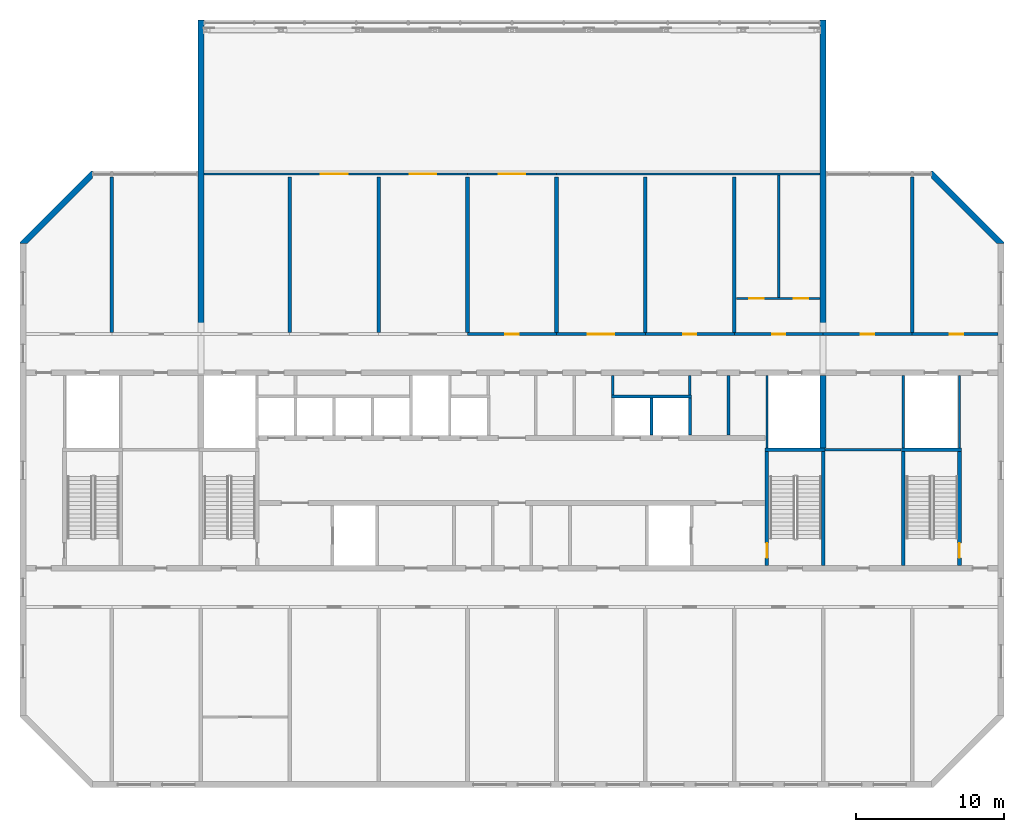
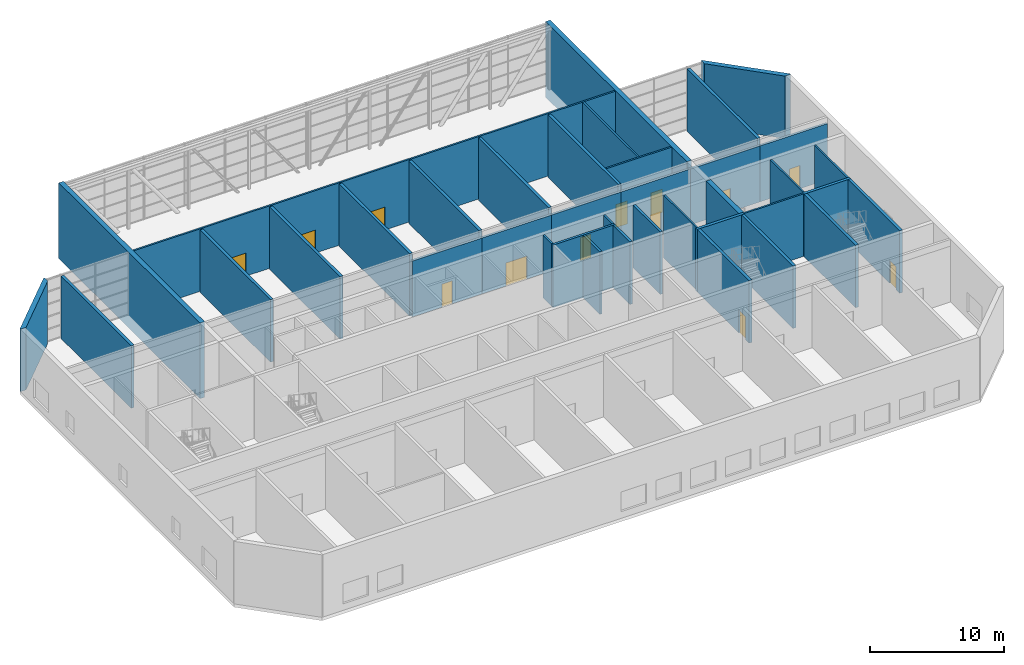
# One storey, part 14 of 17: 40 walls, 13 doors, 13 openings.
"""IFC4 building model written with IfcOpenShell, lengths in metres."""

from ifc_helpers import new_model, si_unit, direction, frame, frame_2d, origin, place, context, subcontext, project, spatial, polyline, rectangle, outline, extrude, material, layer, layer_set, type_object, element, fill, save


model = new_model("IFC4")

# Units and contexts
model_context = context("Model", 3, precision=1e-05, world=origin(), true_north=direction((0.0, 1.0)))
body_context = subcontext(model_context, "Body", "Model", "MODEL_VIEW")
ifc_project = project(units=[si_unit("LENGTHUNIT", "METRE"), si_unit("AREAUNIT", "SQUARE_METRE"), si_unit("VOLUMEUNIT", "CUBIC_METRE"), si_unit("PLANEANGLEUNIT", "RADIAN"), si_unit("MASSUNIT", "GRAM", prefix="KILO")], contexts=[model_context])

# Site, building, storey
site_placement = place(None, origin())
site = spatial("IfcSite", under=ifc_project, at=site_placement, CompositionType="ELEMENT")
building_placement = place(site_placement, origin())
building = spatial("IfcBuilding", under=site, at=building_placement, Name="Poui Terraces", CompositionType="ELEMENT")
storey_placement = place(building_placement, frame((0.0, 0.0, 261.0)))
storey = spatial("IfcBuildingStorey", under=building, at=storey_placement, Name="L73", CompositionType="ELEMENT", Elevation=261.0)

# Wall
ifc_material_1 = material(Name="Concrete 50 MPa", Category="concrete")
ifc_layer_1 = layer(ifc_material_1, 0.39990234375)
ifc_layer_set_1 = layer_set([ifc_layer_1], Name="Concrete 50 MPa")
wall_type_1 = type_object("IfcWallType", Name="CORE WALL 400 50 MPA", PredefinedType="SOLIDWALL", material=ifc_layer_set_1)
wall_1_placement = place(storey_placement, frame((72.0, 22.72509765625, 0.0), z_axis=(0.0, 0.0, 1.0), x_axis=(0.0, 1.0, 0.0)))
element("IfcWall", 1, at=wall_1_placement, inside=storey, type_object=wall_type_1, Name="CORE WALL", PredefinedType="SOLIDWALL", context=body_context, shape_type="SweptSolid", body=[
    extrude(rectangle(XDim=4.89990234375, YDim=0.39990234375, at=frame_2d((2.449951171875, 0.0))), origin(), (0.0, 0.0, 1.0), 5.699951171875),
])

# Wall, openings, doors
ifc_material_2 = material(Name="Fire-rated plasterboard wall")
ifc_layer_2 = layer(ifc_material_2, 0.14990234375)
ifc_layer_set_2 = layer_set([ifc_layer_2], Name="Fire-rated plasterboard wall")
wall_type_2 = type_object("IfcWallType", Name="CORRIDOR WALL 150", PredefinedType="PARTITIONING", material=ifc_layer_set_2)
wall_2_placement = place(storey_placement, frame((66.135009765625, 32.800048828125, 0.0), z_axis=(0.0, 0.0, 1.0), x_axis=(1.0, 0.0, 0.0)))
wall_2 = element("IfcWall", 2, at=wall_2_placement, inside=storey, type_object=wall_type_2, Name="CORRIDOR WALL 150", PredefinedType="PARTITIONING", context=body_context, shape_type="SweptSolid", body=[
    extrude(rectangle(XDim=5.655029296875, YDim=0.14990234375, at=frame_2d((2.82763671875, 0.0))), origin(), (0.0, 0.0, 1.0), 5.699951171875),
])
opening_1_placement = place(wall_2_placement, frame((0.864990234375, 0.0, 0.0)))
opening_1 = element("IfcOpeningElement", 3, at=opening_1_placement, cuts=wall_2, Name="Opening D100", PredefinedType="OPENING", context=body_context, shape_type="SweptSolid", body=[
    extrude(rectangle(XDim=1.0, YDim=2.10009765625, at=frame_2d((0.5, 1.050048828125))), frame((0.0, 0.0849609375, 0.0), z_axis=(0.0, -1.0, 0.0), x_axis=(1.0, 0.0, 0.0)), (0.0, 0.0, 1.0), 0.169921875),
])
opening_2_placement = place(wall_2_placement, frame((3.864990234375, 0.0, 0.0)))
opening_2 = element("IfcOpeningElement", 4, at=opening_2_placement, cuts=wall_2, Name="Opening D100", PredefinedType="OPENING", context=body_context, shape_type="SweptSolid", body=[
    extrude(rectangle(XDim=1.0, YDim=2.10009765625, at=frame_2d((0.5, 1.050048828125))), frame((0.0, 0.0849609375, 0.0), z_axis=(0.0, -1.0, 0.0), x_axis=(1.0, 0.0, 0.0)), (0.0, 0.0, 1.0), 0.169921875),
])
ifc_material_3 = material(Name="Solid core timber door", Category="wood")
door_type_1 = type_object("IfcDoorType", Name="ACCESSIBLE INTERNAL DOOR 1000 X 2100", OperationType="NOTDEFINED", PredefinedType="DOOR", material=ifc_material_3)
door_1_placement = place(opening_1_placement, frame((1.0, 0.0, 0.0), z_axis=(0.0, 0.0, 1.0), x_axis=(-1.0, 0.0, 0.0)))
door_1 = element("IfcDoor", 5, at=door_1_placement, inside=storey, type_object=door_type_1, Name="ACCESSIBLE INTERNAL DOOR 054", OperationType="SINGLE_SWING_LEFT", OverallHeight=2.10009765625, OverallWidth=1.0, PredefinedType="DOOR", context=body_context, shape_type="SweptSolid", body=[
    extrude(rectangle(XDim=1.0, YDim=2.10009765625, at=frame_2d((0.5, 1.050048828125))), frame((0.0, 0.02490234375, 0.0), z_axis=(0.0, -1.0, 0.0), x_axis=(1.0, 0.0, 0.0)), (0.0, 0.0, 1.0), 0.050048828125),
])
fill(opening_1, door_1)
door_2_placement = place(opening_2_placement, frame((1.0, 0.0, 0.0), z_axis=(0.0, 0.0, 1.0), x_axis=(-1.0, 0.0, 0.0)))
door_2 = element("IfcDoor", 6, at=door_2_placement, inside=storey, type_object=door_type_1, Name="ACCESSIBLE INTERNAL DOOR 055", OperationType="SINGLE_SWING_RIGHT", OverallHeight=2.10009765625, OverallWidth=1.0, PredefinedType="DOOR", context=body_context, shape_type="SweptSolid", body=[
    extrude(rectangle(XDim=1.0, YDim=2.10009765625, at=frame_2d((0.5, 1.050048828125))), frame((0.0, 0.02490234375, 0.0), z_axis=(0.0, -1.0, 0.0), x_axis=(1.0, 0.0, 0.0)), (0.0, 0.0, 1.0), 0.050048828125),
])
fill(opening_2, door_2)

# Wall, opening, door
wall_3_placement = place(storey_placement, frame((48.0, 41.199951171875, 0.0), z_axis=(0.0, 0.0, 1.0), x_axis=(1.0, 0.0, 0.0)))
wall_3 = element("IfcWall", 7, at=wall_3_placement, inside=storey, type_object=wall_type_2, Name="CORRIDOR WALL 150", PredefinedType="PARTITIONING", context=body_context, shape_type="SweptSolid", body=[
    extrude(rectangle(XDim=6.0, YDim=0.14990234375, at=frame_2d((3.0, 0.0))), origin(), (0.0, 0.0, 1.0), 5.699951171875),
])
opening_3_placement = place(wall_3_placement, frame((2.10009765625, 0.0, 0.0)))
opening_3 = element("IfcOpeningElement", 8, at=opening_3_placement, cuts=wall_3, Name="Opening DD180", PredefinedType="OPENING", context=body_context, shape_type="SweptSolid", body=[
    extrude(rectangle(XDim=1.800048828125, YDim=2.10009765625, at=frame_2d((0.89990234375, 1.050048828125))), frame((0.0, 0.0849609375, 0.0), z_axis=(0.0, -1.0, 0.0), x_axis=(1.0, 0.0, 0.0)), (0.0, 0.0, 1.0), 0.169921875),
])
ifc_material_4 = material(Name="Steel fire door", Category="steel")
door_type_2 = type_object("IfcDoorType", Name="DOUBLE INTERNAL DOOR 1800 X 2100", OperationType="DOUBLE_DOOR_SINGLE_SWING", PredefinedType="DOOR", material=ifc_material_4)
door_3_placement = place(opening_3_placement, frame((1.800048828125, 0.0, 0.0), z_axis=(0.0, 0.0, 1.0), x_axis=(-1.0, 0.0, 0.0)))
door_3 = element("IfcDoor", 9, at=door_3_placement, inside=storey, type_object=door_type_2, Name="DOUBLE INTERNAL DOOR 053", OperationType="DOUBLE_DOOR_SINGLE_SWING", OverallHeight=2.10009765625, OverallWidth=1.800048828125, PredefinedType="DOOR", context=body_context, shape_type="SweptSolid", body=[
    extrude(rectangle(XDim=1.800048828125, YDim=2.10009765625, at=frame_2d((0.89990234375, 1.050048828125))), frame((0.0, 0.02490234375, 0.0), z_axis=(0.0, -1.0, 0.0), x_axis=(1.0, 0.0, 0.0)), (0.0, 0.0, 1.0), 0.050048828125),
])
fill(opening_3, door_3)

ifc_layer_3 = layer(ifc_material_1, 0.199951171875)
ifc_layer_set_3 = layer_set([ifc_layer_3], Name="Concrete 50 MPa")
wall_type_3 = type_object("IfcWallType", Name="CORRIDOR WALL 200 50MPa", PredefinedType="SHEAR", material=ifc_layer_set_3)
wall_4_placement = place(storey_placement, frame((48.0, 30.39990234375, 0.0), z_axis=(0.0, 0.0, 1.0), x_axis=(1.0, 0.0, 0.0)))
wall_4 = element("IfcWall", 10, at=wall_4_placement, inside=storey, type_object=wall_type_3, Name="CORRIDOR WALL LINE E BAY 6", PredefinedType="SHEAR", context=body_context, shape_type="SweptSolid", body=[
    extrude(rectangle(XDim=6.0, YDim=0.199951171875, at=frame_2d((3.0, 0.0))), origin(), (0.0, 0.0, 1.0), 5.10009765625),
])
opening_4_placement = place(wall_4_placement, frame((2.550048828125, 0.0, 0.0)))
opening_4 = element("IfcOpeningElement", 11, at=opening_4_placement, cuts=wall_4, Name="Opening D90", PredefinedType="OPENING", context=body_context, shape_type="SweptSolid", body=[
    extrude(rectangle(XDim=0.89990234375, YDim=2.10009765625, at=frame_2d((0.449951171875, 1.050048828125))), frame((0.0, 0.10986328125, 0.0), z_axis=(0.0, -1.0, 0.0), x_axis=(1.0, 0.0, 0.0)), (0.0, 0.0, 1.0), 0.219970703125),
])
door_type_3 = type_object("IfcDoorType", Name="INTERNAL DOOR 900 X 2100", OperationType="NOTDEFINED", PredefinedType="DOOR", material=ifc_material_3)
door_4_placement = place(opening_4_placement, frame((0.89990234375, 0.0, 0.0), z_axis=(0.0, 0.0, 1.0), x_axis=(-1.0, 0.0, 0.0)))
door_4 = element("IfcDoor", 12, at=door_4_placement, inside=storey, type_object=door_type_3, Name="INTERNAL DOOR 014", OperationType="SINGLE_SWING_RIGHT", OverallHeight=2.10009765625, OverallWidth=0.89990234375, PredefinedType="DOOR", context=body_context, shape_type="SweptSolid", body=[
    extrude(rectangle(XDim=0.89990234375, YDim=2.10009765625, at=frame_2d((0.449951171875, 1.050048828125))), frame((0.0, 0.02490234375, 0.0), z_axis=(0.0, -1.0, 0.0), x_axis=(1.0, 0.0, 0.0)), (0.0, 0.0, 1.0), 0.050048828125),
])
fill(opening_4, door_4)

wall_5_placement = place(storey_placement, frame((54.0, 30.39990234375, 0.0), z_axis=(0.0, 0.0, 1.0), x_axis=(1.0, 0.0, 0.0)))
wall_5 = element("IfcWall", 13, at=wall_5_placement, inside=storey, type_object=wall_type_3, Name="CORRIDOR WALL LINE E BAY 7", PredefinedType="SHEAR", context=body_context, shape_type="SweptSolid", body=[
    extrude(rectangle(XDim=6.0, YDim=0.199951171875, at=frame_2d((3.0, 0.0))), origin(), (0.0, 0.0, 1.0), 5.10009765625),
])
opening_5_placement = place(wall_5_placement, frame((2.10009765625, 0.0, 0.0)))
opening_5 = element("IfcOpeningElement", 14, at=opening_5_placement, cuts=wall_5, Name="Opening DD180", PredefinedType="OPENING", context=body_context, shape_type="SweptSolid", body=[
    extrude(rectangle(XDim=1.800048828125, YDim=2.10009765625, at=frame_2d((0.89990234375, 1.050048828125))), frame((0.0, 0.10986328125, 0.0), z_axis=(0.0, -1.0, 0.0), x_axis=(1.0, 0.0, 0.0)), (0.0, 0.0, 1.0), 0.219970703125),
])
door_5_placement = place(opening_5_placement, frame((1.800048828125, 0.0, 0.0), z_axis=(0.0, 0.0, 1.0), x_axis=(-1.0, 0.0, 0.0)))
door_5 = element("IfcDoor", 15, at=door_5_placement, inside=storey, type_object=door_type_2, Name="DOUBLE INTERNAL DOOR 017", OperationType="DOUBLE_DOOR_SINGLE_SWING", OverallHeight=2.10009765625, OverallWidth=1.800048828125, PredefinedType="DOOR", context=body_context, shape_type="SweptSolid", body=[
    extrude(rectangle(XDim=1.800048828125, YDim=2.10009765625, at=frame_2d((0.89990234375, 1.050048828125))), frame((0.0, 0.02490234375, 0.0), z_axis=(0.0, -1.0, 0.0), x_axis=(1.0, 0.0, 0.0)), (0.0, 0.0, 1.0), 0.050048828125),
])
fill(opening_5, door_5)

wall_6_placement = place(storey_placement, frame((60.0, 30.39990234375, 0.0), z_axis=(0.0, 0.0, 1.0), x_axis=(1.0, 0.0, 0.0)))
wall_6 = element("IfcWall", 16, at=wall_6_placement, inside=storey, type_object=wall_type_3, Name="CORRIDOR WALL LINE E BAY 8", PredefinedType="SHEAR", context=body_context, shape_type="SweptSolid", body=[
    extrude(rectangle(XDim=6.0, YDim=0.199951171875, at=frame_2d((3.0, 0.0))), origin(), (0.0, 0.0, 1.0), 5.10009765625),
])
opening_6_placement = place(wall_6_placement, frame((2.550048828125, 0.0, 0.0)))
opening_6 = element("IfcOpeningElement", 17, at=opening_6_placement, cuts=wall_6, Name="Opening D90", PredefinedType="OPENING", context=body_context, shape_type="SweptSolid", body=[
    extrude(rectangle(XDim=0.89990234375, YDim=2.10009765625, at=frame_2d((0.449951171875, 1.050048828125))), frame((0.0, 0.10986328125, 0.0), z_axis=(0.0, -1.0, 0.0), x_axis=(1.0, 0.0, 0.0)), (0.0, 0.0, 1.0), 0.219970703125),
])
door_6_placement = place(opening_6_placement, frame((0.89990234375, 0.0, 0.0), z_axis=(0.0, 0.0, 1.0), x_axis=(-1.0, 0.0, 0.0)))
door_6 = element("IfcDoor", 18, at=door_6_placement, inside=storey, type_object=door_type_3, Name="INTERNAL DOOR 019", OperationType="SINGLE_SWING_RIGHT", OverallHeight=2.10009765625, OverallWidth=0.89990234375, PredefinedType="DOOR", context=body_context, shape_type="SweptSolid", body=[
    extrude(rectangle(XDim=0.89990234375, YDim=2.10009765625, at=frame_2d((0.449951171875, 1.050048828125))), frame((0.0, 0.02490234375, 0.0), z_axis=(0.0, -1.0, 0.0), x_axis=(1.0, 0.0, 0.0)), (0.0, 0.0, 1.0), 0.050048828125),
])
fill(opening_6, door_6)

wall_7_placement = place(storey_placement, frame((66.0, 30.39990234375, 0.0), z_axis=(0.0, 0.0, 1.0), x_axis=(1.0, 0.0, 0.0)))
wall_7 = element("IfcWall", 19, at=wall_7_placement, inside=storey, type_object=wall_type_3, Name="CORRIDOR WALL LINE E BAY 9", PredefinedType="SHEAR", context=body_context, shape_type="SweptSolid", body=[
    extrude(rectangle(XDim=6.0, YDim=0.199951171875, at=frame_2d((3.0, 0.0))), origin(), (0.0, 0.0, 1.0), 5.10009765625),
])
opening_7_placement = place(wall_7_placement, frame((2.550048828125, 0.0, 0.0)))
opening_7 = element("IfcOpeningElement", 20, at=opening_7_placement, cuts=wall_7, Name="Opening D90", PredefinedType="OPENING", context=body_context, shape_type="SweptSolid", body=[
    extrude(rectangle(XDim=0.89990234375, YDim=2.10009765625, at=frame_2d((0.449951171875, 1.050048828125))), frame((0.0, 0.10986328125, 0.0), z_axis=(0.0, -1.0, 0.0), x_axis=(1.0, 0.0, 0.0)), (0.0, 0.0, 1.0), 0.219970703125),
])
door_7_placement = place(opening_7_placement, frame((0.89990234375, 0.0, 0.0), z_axis=(0.0, 0.0, 1.0), x_axis=(-1.0, 0.0, 0.0)))
door_7 = element("IfcDoor", 21, at=door_7_placement, inside=storey, type_object=door_type_3, Name="INTERNAL DOOR 022", OperationType="SINGLE_SWING_LEFT", OverallHeight=2.10009765625, OverallWidth=0.89990234375, PredefinedType="DOOR", context=body_context, shape_type="SweptSolid", body=[
    extrude(rectangle(XDim=0.89990234375, YDim=2.10009765625, at=frame_2d((0.449951171875, 1.050048828125))), frame((0.0, 0.02490234375, 0.0), z_axis=(0.0, -1.0, 0.0), x_axis=(1.0, 0.0, 0.0)), (0.0, 0.0, 1.0), 0.050048828125),
])
fill(opening_7, door_7)

wall_8_placement = place(storey_placement, frame((72.0, 30.39990234375, 0.0), z_axis=(0.0, 0.0, 1.0), x_axis=(1.0, 0.0, 0.0)))
wall_8 = element("IfcWall", 22, at=wall_8_placement, inside=storey, type_object=wall_type_3, Name="CORRIDOR WALL LINE E BAY 10", PredefinedType="SHEAR", context=body_context, shape_type="SweptSolid", body=[
    extrude(rectangle(XDim=6.0, YDim=0.199951171875, at=frame_2d((3.0, 0.0))), origin(), (0.0, 0.0, 1.0), 5.10009765625),
])
opening_8_placement = place(wall_8_placement, frame((2.550048828125, 0.0, 0.0)))
opening_8 = element("IfcOpeningElement", 23, at=opening_8_placement, cuts=wall_8, Name="Opening D90", PredefinedType="OPENING", context=body_context, shape_type="SweptSolid", body=[
    extrude(rectangle(XDim=0.89990234375, YDim=2.10009765625, at=frame_2d((0.449951171875, 1.050048828125))), frame((0.0, 0.10986328125, 0.0), z_axis=(0.0, -1.0, 0.0), x_axis=(1.0, 0.0, 0.0)), (0.0, 0.0, 1.0), 0.219970703125),
])
door_8_placement = place(opening_8_placement, frame((0.89990234375, 0.0, 0.0), z_axis=(0.0, 0.0, 1.0), x_axis=(-1.0, 0.0, 0.0)))
door_8 = element("IfcDoor", 24, at=door_8_placement, inside=storey, type_object=door_type_3, Name="INTERNAL DOOR 025", OperationType="SINGLE_SWING_RIGHT", OverallHeight=2.10009765625, OverallWidth=0.89990234375, PredefinedType="DOOR", context=body_context, shape_type="SweptSolid", body=[
    extrude(rectangle(XDim=0.89990234375, YDim=2.10009765625, at=frame_2d((0.449951171875, 1.050048828125))), frame((0.0, 0.02490234375, 0.0), z_axis=(0.0, -1.0, 0.0), x_axis=(1.0, 0.0, 0.0)), (0.0, 0.0, 1.0), 0.050048828125),
])
fill(opening_8, door_8)

wall_9_placement = place(storey_placement, frame((78.0, 30.39990234375, 0.0), z_axis=(0.0, 0.0, 1.0), x_axis=(1.0, 0.0, 0.0)))
wall_9 = element("IfcWall", 25, at=wall_9_placement, inside=storey, type_object=wall_type_3, Name="CORRIDOR WALL LINE E BAY 11", PredefinedType="SHEAR", context=body_context, shape_type="SweptSolid", body=[
    extrude(rectangle(XDim=5.800048828125, YDim=0.199951171875, at=frame_2d((2.89990234375, 0.0))), origin(), (0.0, 0.0, 1.0), 5.10009765625),
])
opening_9_placement = place(wall_9_placement, frame((2.550048828125, 0.0, 0.0)))
opening_9 = element("IfcOpeningElement", 26, at=opening_9_placement, cuts=wall_9, Name="Opening D90", PredefinedType="OPENING", context=body_context, shape_type="SweptSolid", body=[
    extrude(rectangle(XDim=0.89990234375, YDim=2.10009765625, at=frame_2d((0.449951171875, 1.050048828125))), frame((0.0, 0.10986328125, 0.0), z_axis=(0.0, -1.0, 0.0), x_axis=(1.0, 0.0, 0.0)), (0.0, 0.0, 1.0), 0.219970703125),
])
door_9_placement = place(opening_9_placement, frame((0.89990234375, 0.0, 0.0), z_axis=(0.0, 0.0, 1.0), x_axis=(-1.0, 0.0, 0.0)))
door_9 = element("IfcDoor", 27, at=door_9_placement, inside=storey, type_object=door_type_3, Name="INTERNAL DOOR 027", OperationType="SINGLE_SWING_LEFT", OverallHeight=2.10009765625, OverallWidth=0.89990234375, PredefinedType="DOOR", context=body_context, shape_type="SweptSolid", body=[
    extrude(rectangle(XDim=0.89990234375, YDim=2.10009765625, at=frame_2d((0.449951171875, 1.050048828125))), frame((0.0, 0.02490234375, 0.0), z_axis=(0.0, -1.0, 0.0), x_axis=(1.0, 0.0, 0.0)), (0.0, 0.0, 1.0), 0.050048828125),
])
fill(opening_9, door_9)

# Walls
ifc_layer_4 = layer(ifc_material_1, 0.25)
ifc_layer_set_4 = layer_set([ifc_layer_4], Name="Concrete 50 MPa")
wall_type_4 = type_object("IfcWallType", Name="CROSS WALL 250 50MPa", PredefinedType="SHEAR", material=ifc_layer_set_4)
for number, where, z_axis, x_axis, name in (
    (28, (24.0, 30.5, 0.0), (0.0, 0.0, 1.0), (0.0, 1.0, 0.0), "CROSS WALL LINE 5 NORTH"),
    (29, (36.0, 30.5, 0.0), (0.0, 0.0, 1.0), (0.0, 1.0, 0.0), "CROSS WALL LINE 7 NORTH"),
    (30, (42.0, 30.5, 0.0), (0.0, 0.0, 1.0), (0.0, 1.0, 0.0), "CROSS WALL LINE 8 NORTH"),
    (31, (48.0, 30.5, 0.0), (0.0, 0.0, 1.0), (0.0, 1.0, 0.0), "CROSS WALL LINE 9 NORTH"),
    (32, (54.0, 30.5, 0.0), (0.0, 0.0, 1.0), (0.0, 1.0, 0.0), "CROSS WALL LINE 10 NORTH"),
    (33, (60.0, 30.5, 0.0), (0.0, 0.0, 1.0), (0.0, 1.0, 0.0), "CROSS WALL LINE 11 NORTH"),
    (34, (66.0, 30.5, 0.0), (0.0, 0.0, 1.0), (0.0, 1.0, 0.0), "CROSS WALL LINE 12 NORTH"),
    (35, (78.0, 30.5, 0.0), (0.0, 0.0, 1.0), (0.0, 1.0, 0.0), "CROSS WALL LINE 14 NORTH"),
):
    element("IfcWall", number, at=place(storey_placement, frame(where, z_axis=z_axis, x_axis=x_axis)), inside=storey, type_object=wall_type_4, Name=name, PredefinedType="SHEAR", context=body_context, shape_type="SweptSolid", body=[
        extrude(rectangle(XDim=10.5, YDim=0.25, at=frame_2d((5.25, 0.0))), origin(), (0.0, 0.0, 1.0), 5.699951171875),
    ])
ifc_material_5 = material(Name="Plasterboard partition")
ifc_layer_5 = layer(ifc_material_5, 0.14990234375)
ifc_layer_set_5 = layer_set([ifc_layer_5], Name="Plasterboard partition")
wall_type_5 = type_object("IfcWallType", Name="PARTITION WALL 150", PredefinedType="PARTITIONING", material=ifc_layer_set_5)
wall_10_placement = place(storey_placement, frame((72.135009765625, 22.60009765625, 0.0), z_axis=(0.0, 0.0, 1.0), x_axis=(1.0, 0.0, 0.0)))
element("IfcWall", 36, at=wall_10_placement, inside=storey, type_object=wall_type_5, Name="PARTITION WALL 150", PredefinedType="PARTITIONING", context=body_context, shape_type="SweptSolid", body=[
    extrude(rectangle(XDim=5.1298828125, YDim=0.14990234375, at=frame_2d((2.56494140625, 0.0))), origin(), (0.0, 0.0, 1.0), 5.699951171875),
])

# Wall, openings, doors
wall_11_placement = place(storey_placement, frame((30.2099609375, 41.199951171875, 0.0), z_axis=(0.0, 0.0, 1.0), x_axis=(1.0, 0.0, 0.0)))
wall_11 = element("IfcWall", 37, at=wall_11_placement, inside=storey, type_object=wall_type_5, Name="PARTITION WALL 150", PredefinedType="PARTITIONING", context=body_context, shape_type="SweptSolid", body=[
    extrude(rectangle(XDim=17.7900390625, YDim=0.14990234375, at=frame_2d((8.89501953125, 0.0))), origin(), (0.0, 0.0, 1.0), 5.699951171875),
])
opening_10_placement = place(wall_11_placement, frame((7.889892578125, 0.0, 0.0)))
opening_10 = element("IfcOpeningElement", 38, at=opening_10_placement, cuts=wall_11, Name="Opening DD180", PredefinedType="OPENING", context=body_context, shape_type="SweptSolid", body=[
    extrude(rectangle(XDim=1.800048828125, YDim=2.10009765625, at=frame_2d((0.89990234375, 1.050048828125))), frame((0.0, 0.0849609375, 0.0), z_axis=(0.0, -1.0, 0.0), x_axis=(1.0, 0.0, 0.0)), (0.0, 0.0, 1.0), 0.169921875),
])
opening_11_placement = place(wall_11_placement, frame((13.889892578125, 0.0, 0.0)))
opening_11 = element("IfcOpeningElement", 39, at=opening_11_placement, cuts=wall_11, Name="Opening DD180", PredefinedType="OPENING", context=body_context, shape_type="SweptSolid", body=[
    extrude(rectangle(XDim=1.800048828125, YDim=2.10009765625, at=frame_2d((0.89990234375, 1.050048828125))), frame((0.0, 0.0849609375, 0.0), z_axis=(0.0, -1.0, 0.0), x_axis=(1.0, 0.0, 0.0)), (0.0, 0.0, 1.0), 0.169921875),
])
door_10_placement = place(opening_10_placement, frame((1.800048828125, 0.0, 0.0), z_axis=(0.0, 0.0, 1.0), x_axis=(-1.0, 0.0, 0.0)))
door_10 = element("IfcDoor", 40, at=door_10_placement, inside=storey, type_object=door_type_2, Name="DOUBLE INTERNAL DOOR 051", OperationType="DOUBLE_DOOR_SINGLE_SWING", OverallHeight=2.10009765625, OverallWidth=1.800048828125, PredefinedType="DOOR", context=body_context, shape_type="SweptSolid", body=[
    extrude(rectangle(XDim=1.800048828125, YDim=2.10009765625, at=frame_2d((0.89990234375, 1.050048828125))), frame((0.0, 0.02490234375, 0.0), z_axis=(0.0, -1.0, 0.0), x_axis=(1.0, 0.0, 0.0)), (0.0, 0.0, 1.0), 0.050048828125),
])
fill(opening_10, door_10)
door_11_placement = place(opening_11_placement, frame((1.800048828125, 0.0, 0.0), z_axis=(0.0, 0.0, 1.0), x_axis=(-1.0, 0.0, 0.0)))
door_11 = element("IfcDoor", 41, at=door_11_placement, inside=storey, type_object=door_type_2, Name="DOUBLE INTERNAL DOOR 052", OperationType="DOUBLE_DOOR_SINGLE_SWING", OverallHeight=2.10009765625, OverallWidth=1.800048828125, PredefinedType="DOOR", context=body_context, shape_type="SweptSolid", body=[
    extrude(rectangle(XDim=1.800048828125, YDim=2.10009765625, at=frame_2d((0.89990234375, 1.050048828125))), frame((0.0, 0.02490234375, 0.0), z_axis=(0.0, -1.0, 0.0), x_axis=(1.0, 0.0, 0.0)), (0.0, 0.0, 1.0), 0.050048828125),
])
fill(opening_11, door_11)

# Walls
wall_12_placement = place(storey_placement, frame((54.0, 41.199951171875, 0.0), z_axis=(0.0, 0.0, 1.0), x_axis=(1.0, 0.0, 0.0)))
element("IfcWall", 42, at=wall_12_placement, inside=storey, type_object=wall_type_5, Name="PARTITION WALL 150", PredefinedType="PARTITIONING", context=body_context, shape_type="SweptSolid", body=[
    extrude(rectangle(XDim=17.7900390625, YDim=0.14990234375, at=frame_2d((8.89501953125, 0.0))), origin(), (0.0, 0.0, 1.0), 5.699951171875),
])
for number, where, z_axis, x_axis, name in (
    (43, (57.800048828125, 26.300048828125, 0.0), (0.0, 0.0, 1.0), (0.0, 1.0, 0.0), "PARTITION WALL 150"),
    (44, (63.0, 26.300048828125, 0.0), (0.0, 0.0, 1.0), (0.0, 1.0, 0.0), "PARTITION WALL 150"),
):
    element("IfcWall", number, at=place(storey_placement, frame(where, z_axis=z_axis, x_axis=x_axis)), inside=storey, type_object=wall_type_5, Name=name, PredefinedType="PARTITIONING", context=body_context, shape_type="SweptSolid", body=[
        extrude(rectangle(XDim=1.31494140625, YDim=0.14990234375, at=frame_2d((0.657470703125, 0.0))), origin(), (0.0, 0.0, 1.0), 5.699951171875),
    ])
wall_13_placement = place(storey_placement, frame((69.0, 32.875, 0.0), z_axis=(0.0, 0.0, 1.0), x_axis=(0.0, 1.0, 0.0)))
element("IfcWall", 45, at=wall_13_placement, inside=storey, type_object=wall_type_5, Name="PARTITION WALL 150", PredefinedType="PARTITIONING", context=body_context, shape_type="SweptSolid", body=[
    extrude(rectangle(XDim=8.25, YDim=0.14990234375, at=frame_2d((4.125, 0.0))), origin(), (0.0, 0.0, 1.0), 5.699951171875),
])
ifc_material_6 = material(Name="Fire-rated masonry wall", Category="masonry")
ifc_layer_6 = layer(ifc_material_6, 0.199951171875)
ifc_layer_set_6 = layer_set([ifc_layer_6], Name="Fire-rated masonry wall")
wall_type_6 = type_object("IfcWallType", Name="PLANT ROOM WALL 200", PredefinedType="PARTITIONING", material=ifc_layer_set_6)
wall_14_placement = place(storey_placement, frame((65.60009765625, 23.5849609375, 0.0), z_axis=(0.0, 0.0, 1.0), x_axis=(0.0, 1.0, 0.0)))
element("IfcWall", 46, at=wall_14_placement, inside=storey, type_object=wall_type_6, Name="PLANT ROOM WALL 200", PredefinedType="PARTITIONING", context=body_context, shape_type="SweptSolid", body=[
    extrude(rectangle(XDim=4.030029296875, YDim=0.199951171875, at=frame_2d((2.01513671875, 0.0))), origin(), (0.0, 0.0, 1.0), 5.699951171875),
])
ifc_material_7 = material(Name="Fire-rated plasterboard riser wall")
ifc_layer_7 = layer(ifc_material_7, 0.14990234375)
ifc_layer_set_7 = layer_set([ifc_layer_7], Name="Fire-rated plasterboard riser wall")
wall_type_7 = type_object("IfcWallType", Name="RISER WALL 150", PredefinedType="PARTITIONING", material=ifc_layer_set_7)
for number, where, z_axis, x_axis, name in (
    (47, (68.199951171875, 22.735107421875, 0.0), (0.0, 0.0, 1.0), (0.0, 1.0, 0.0), "RISER WALL 150"),
    (48, (77.39990234375, 22.735107421875, 0.0), (0.0, 0.0, 1.0), (0.0, 1.0, 0.0), "RISER WALL 150"),
    (49, (81.199951171875, 22.735107421875, 0.0), (0.0, 0.0, 1.0), (0.0, 1.0, 0.0), "RISER WALL 150"),
):
    element("IfcWall", number, at=place(storey_placement, frame(where, z_axis=z_axis, x_axis=x_axis)), inside=storey, type_object=wall_type_7, Name=name, PredefinedType="PARTITIONING", context=body_context, shape_type="SweptSolid", body=[
        extrude(rectangle(XDim=4.8798828125, YDim=0.14990234375, at=frame_2d((2.43994140625, 0.0))), origin(), (0.0, 0.0, 1.0), 5.699951171875),
    ])
ifc_material_8 = material(Name="Fire-rated masonry shaft wall", Category="masonry")
ifc_layer_8 = layer(ifc_material_8, 0.199951171875)
ifc_layer_set_8 = layer_set([ifc_layer_8], Name="Fire-rated masonry shaft wall")
wall_type_8 = type_object("IfcWallType", Name="SHAFT WALL 200", PredefinedType="PARTITIONING", material=ifc_layer_set_8)
wall_15_placement = place(storey_placement, frame((57.699951171875, 26.199951171875, 0.0), z_axis=(0.0, 0.0, 1.0), x_axis=(1.0, 0.0, 0.0)))
element("IfcWall", 50, at=wall_15_placement, inside=storey, type_object=wall_type_8, Name="SHAFT WALL 200", PredefinedType="PARTITIONING", context=body_context, shape_type="SweptSolid", body=[
    extrude(rectangle(XDim=5.400146484375, YDim=0.199951171875, at=frame_2d((2.7001953125, 0.0))), origin(), (0.0, 0.0, 1.0), 5.699951171875),
])
for number, where, z_axis, x_axis, name in (
    (51, (60.39990234375, 23.5849609375, 0.0), (0.0, 0.0, 1.0), (0.0, 1.0, 0.0), "SHAFT WALL 200"),
    (52, (63.0, 23.5849609375, 0.0), (0.0, 0.0, 1.0), (0.0, 1.0, 0.0), "SHAFT WALL 200"),
):
    element("IfcWall", number, at=place(storey_placement, frame(where, z_axis=z_axis, x_axis=x_axis)), inside=storey, type_object=wall_type_8, Name=name, PredefinedType="PARTITIONING", context=body_context, shape_type="SweptSolid", body=[
        extrude(rectangle(XDim=2.51513671875, YDim=0.199951171875, at=frame_2d((1.257568359375, 0.0))), origin(), (0.0, 0.0, 1.0), 5.699951171875),
    ])

# Wall, opening, door
ifc_layer_9 = layer(ifc_material_1, 0.25)
ifc_layer_set_9 = layer_set([ifc_layer_9], Name="Concrete 50 MPa")
wall_type_9 = type_object("IfcWallType", Name="STAIR CORE WALL 250 50 MPA", PredefinedType="SOLIDWALL", material=ifc_layer_set_9)
wall_16_placement = place(storey_placement, frame((68.199951171875, 14.77490234375, 0.0), z_axis=(0.0, 0.0, 1.0), x_axis=(0.0, 1.0, 0.0)))
wall_16 = element("IfcWall", 53, at=wall_16_placement, inside=storey, type_object=wall_type_9, Name="STAIR CORE WALL", PredefinedType="SOLIDWALL", context=body_context, shape_type="SweptSolid", body=[
    extrude(rectangle(XDim=7.7001953125, YDim=0.25, at=frame_2d((3.85009765625, 0.0))), origin(), (0.0, 0.0, 1.0), 5.699951171875),
])
opening_12_placement = place(wall_16_placement, frame((0.52490234375, 0.0, 0.0)))
opening_12 = element("IfcOpeningElement", 54, at=opening_12_placement, cuts=wall_16, Name="Opening FD60S", PredefinedType="OPENING", context=body_context, shape_type="SweptSolid", body=[
    extrude(rectangle(XDim=1.0, YDim=2.10009765625, at=frame_2d((0.5, 1.050048828125))), frame((0.0, 0.135009765625, 0.0), z_axis=(0.0, -1.0, 0.0), x_axis=(1.0, 0.0, 0.0)), (0.0, 0.0, 1.0), 0.27001953125),
])
door_type_4 = type_object("IfcDoorType", Name="STAIR DOOR 1000 X 2100", OperationType="NOTDEFINED", PredefinedType="DOOR", material=ifc_material_4)
door_12_placement = place(opening_12_placement, frame((1.0, 0.0, 0.0), z_axis=(0.0, 0.0, 1.0), x_axis=(-1.0, 0.0, 0.0)))
door_12 = element("IfcDoor", 55, at=door_12_placement, inside=storey, type_object=door_type_4, Name="STAIR DOOR 058", OperationType="SINGLE_SWING_RIGHT", OverallHeight=2.10009765625, OverallWidth=1.0, PredefinedType="DOOR", context=body_context, shape_type="SweptSolid", body=[
    extrude(rectangle(XDim=1.0, YDim=2.10009765625, at=frame_2d((0.5, 1.050048828125))), frame((0.0, 0.02490234375, 0.0), z_axis=(0.0, -1.0, 0.0), x_axis=(1.0, 0.0, 0.0)), (0.0, 0.0, 1.0), 0.050048828125),
])
fill(opening_12, door_12)

# Walls
wall_17_placement = place(storey_placement, frame((72.0, 14.77490234375, 0.0), z_axis=(0.0, 0.0, 1.0), x_axis=(0.0, 1.0, 0.0)))
element("IfcWall", 56, at=wall_17_placement, inside=storey, type_object=wall_type_9, Name="STAIR CORE WALL", PredefinedType="SOLIDWALL", context=body_context, shape_type="SweptSolid", body=[
    extrude(rectangle(XDim=7.7001953125, YDim=0.25, at=frame_2d((3.85009765625, 0.0))), origin(), (0.0, 0.0, 1.0), 5.699951171875),
])
wall_18_placement = place(storey_placement, frame((68.074951171875, 22.60009765625, 0.0), z_axis=(0.0, 0.0, 1.0), x_axis=(1.0, 0.0, 0.0)))
element("IfcWall", 57, at=wall_18_placement, inside=storey, type_object=wall_type_9, Name="STAIR CORE WALL", PredefinedType="SOLIDWALL", context=body_context, shape_type="SweptSolid", body=[
    extrude(rectangle(XDim=4.050048828125, YDim=0.25, at=frame_2d((2.02490234375, 0.0))), origin(), (0.0, 0.0, 1.0), 5.699951171875),
])
wall_19_placement = place(storey_placement, frame((77.39990234375, 14.77490234375, 0.0), z_axis=(0.0, 0.0, 1.0), x_axis=(0.0, 1.0, 0.0)))
element("IfcWall", 58, at=wall_19_placement, inside=storey, type_object=wall_type_9, Name="STAIR CORE WALL", PredefinedType="SOLIDWALL", context=body_context, shape_type="SweptSolid", body=[
    extrude(rectangle(XDim=7.7001953125, YDim=0.25, at=frame_2d((3.85009765625, 0.0))), origin(), (0.0, 0.0, 1.0), 5.699951171875),
])

# Wall, opening, door
wall_20_placement = place(storey_placement, frame((81.199951171875, 14.77490234375, 0.0), z_axis=(0.0, 0.0, 1.0), x_axis=(0.0, 1.0, 0.0)))
wall_20 = element("IfcWall", 59, at=wall_20_placement, inside=storey, type_object=wall_type_9, Name="STAIR CORE WALL", PredefinedType="SOLIDWALL", context=body_context, shape_type="SweptSolid", body=[
    extrude(rectangle(XDim=7.7001953125, YDim=0.25, at=frame_2d((3.85009765625, 0.0))), origin(), (0.0, 0.0, 1.0), 5.699951171875),
])
opening_13_placement = place(wall_20_placement, frame((0.52490234375, 0.0, 0.0)))
opening_13 = element("IfcOpeningElement", 60, at=opening_13_placement, cuts=wall_20, Name="Opening FD60S", PredefinedType="OPENING", context=body_context, shape_type="SweptSolid", body=[
    extrude(rectangle(XDim=1.0, YDim=2.10009765625, at=frame_2d((0.5, 1.050048828125))), frame((0.0, 0.135009765625, 0.0), z_axis=(0.0, -1.0, 0.0), x_axis=(1.0, 0.0, 0.0)), (0.0, 0.0, 1.0), 0.27001953125),
])
door_13_placement = place(opening_13_placement, origin())
door_13 = element("IfcDoor", 61, at=door_13_placement, inside=storey, type_object=door_type_4, Name="STAIR DOOR 073", OperationType="SINGLE_SWING_RIGHT", OverallHeight=2.10009765625, OverallWidth=1.0, PredefinedType="DOOR", context=body_context, shape_type="SweptSolid", body=[
    extrude(rectangle(XDim=1.0, YDim=2.10009765625, at=frame_2d((0.5, 1.050048828125))), frame((0.0, 0.02490234375, 0.0), z_axis=(0.0, -1.0, 0.0), x_axis=(1.0, 0.0, 0.0)), (0.0, 0.0, 1.0), 0.050048828125),
])
fill(opening_13, door_13)

# Walls
wall_21_placement = place(storey_placement, frame((77.27490234375, 22.60009765625, 0.0), z_axis=(0.0, 0.0, 1.0), x_axis=(1.0, 0.0, 0.0)))
element("IfcWall", 62, at=wall_21_placement, inside=storey, type_object=wall_type_9, Name="STAIR CORE WALL", PredefinedType="SOLIDWALL", context=body_context, shape_type="SweptSolid", body=[
    extrude(rectangle(XDim=4.050048828125, YDim=0.25, at=frame_2d((2.02490234375, 0.0))), origin(), (0.0, 0.0, 1.0), 5.699951171875),
])
ifc_material_9 = material(Name="Precast concrete 40 MPa", Category="concrete")
ifc_layer_10 = layer(ifc_material_9, 0.39990234375)
ifc_layer_set_10 = layer_set([ifc_layer_10], Name="Precast concrete 40 MPa")
wall_type_10 = type_object("IfcWallType", Name="TERRACOTTA CLAD CHAMFER WALL 400", PredefinedType="STANDARD", material=ifc_layer_set_10)
wall_22_placement = place(storey_placement, origin())
element("IfcWall", 63, at=wall_22_placement, inside=storey, type_object=wall_type_10, Name="CHAMFER WALL CH03", PredefinedType="STANDARD", context=body_context, shape_type="SweptSolid", body=[
    extrude(outline(polyline([(84.199951171875, 36.51708984375), (84.199951171875, 36.60009765625), (79.39990234375, 41.39990234375), (79.317138671875, 41.39990234375), (79.317138671875, 40.917236328125), (83.71728515625, 36.51708984375), (84.199951171875, 36.51708984375)])), origin(), (0.0, 0.0, 1.0), 5.699951171875),
])
wall_23_placement = place(storey_placement, origin())
element("IfcWall", 64, at=wall_23_placement, inside=storey, type_object=wall_type_10, Name="CHAMFER WALL CH05", PredefinedType="STANDARD", context=body_context, shape_type="SweptSolid", body=[
    extrude(outline(polyline([(22.682861328125, 41.39990234375), (22.60009765625, 41.39990234375), (17.800048828125, 36.60009765625), (17.800048828125, 36.51708984375), (18.28271484375, 36.51708984375), (22.682861328125, 40.917236328125), (22.682861328125, 41.39990234375)])), origin(), (0.0, 0.0, 1.0), 5.699951171875),
])
ifc_layer_11 = layer(ifc_material_1, 0.39990234375)
ifc_layer_set_11 = layer_set([ifc_layer_11], Name="Concrete 50 MPa")
wall_type_11 = type_object("IfcWallType", Name="WALL BEAM 400 50MPa", PredefinedType="SHEAR", material=ifc_layer_set_11)
for number, where, z_axis, x_axis, name in (
    (65, (30.0, 30.5, -1.199951171875), (0.0, 0.0, 1.0), (0.0, 1.0, 0.0), "LOUNGE WALL BEAM WEST"),
    (66, (72.0, 30.5, -1.199951171875), (0.0, 0.0, 1.0), (0.0, 1.0, 0.0), "LOUNGE WALL BEAM EAST"),
):
    element("IfcWall", number, at=place(storey_placement, frame(where, z_axis=z_axis, x_axis=x_axis)), inside=storey, type_object=wall_type_11, Name=name, PredefinedType="SHEAR", context=body_context, shape_type="SweptSolid", body=[
        extrude(rectangle(XDim=21.10009765625, YDim=0.39990234375, at=frame_2d((10.550048828125, 0.0))), origin(), (0.0, 0.0, 1.0), 6.89990234375),
    ])

save(model, "model.ifc")
